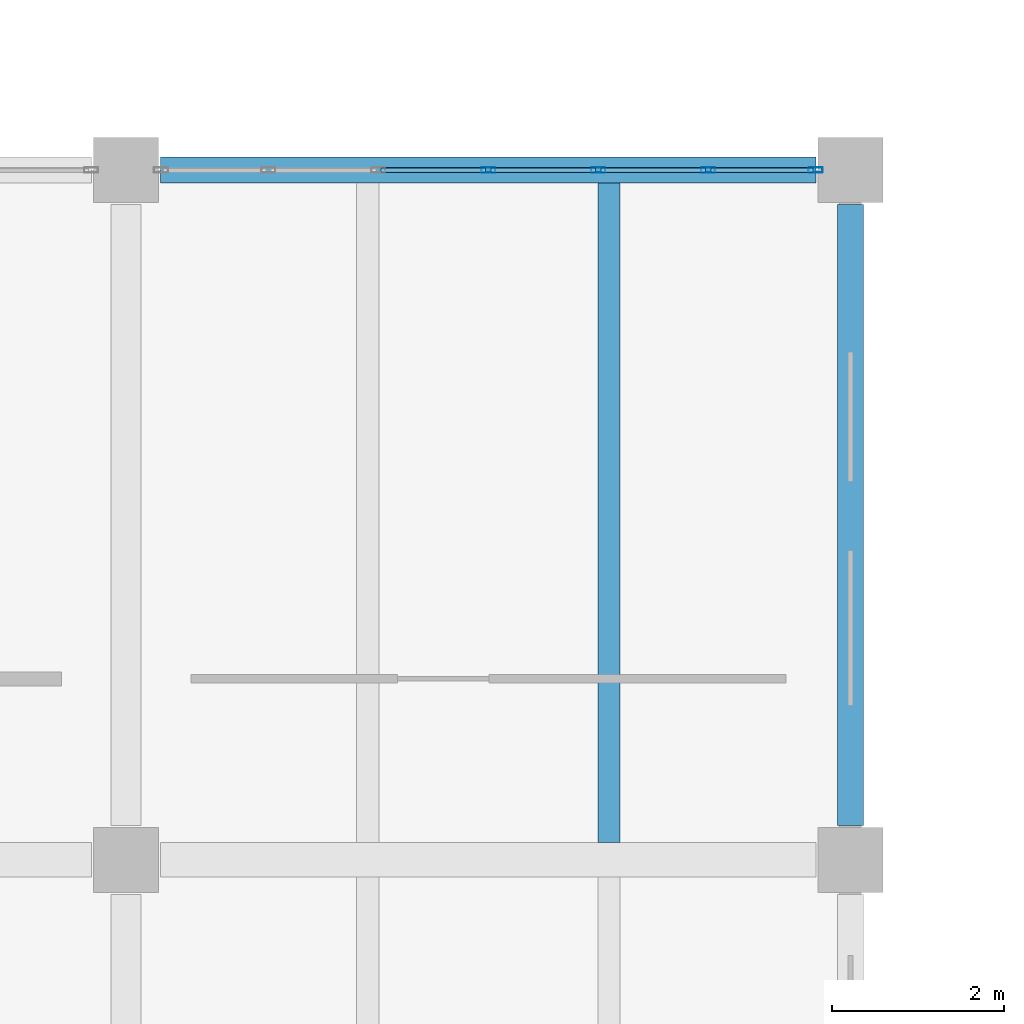
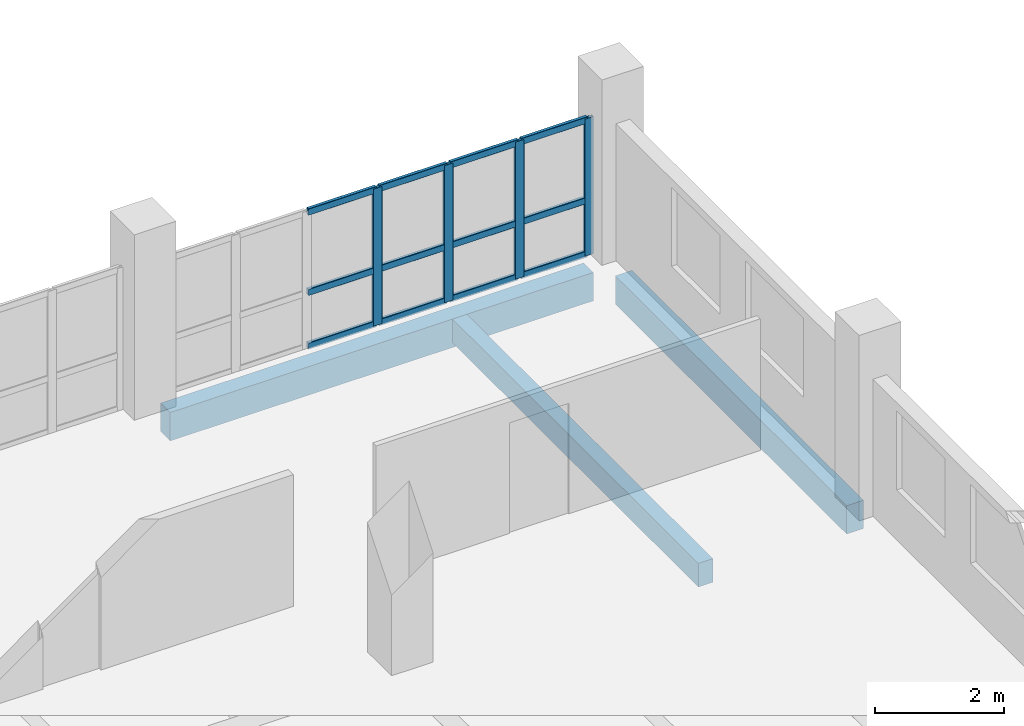
# One storey, part 23 of 95: 16 members, 3 beams, 1 element without a shape of its own.
"""IFC4 building model written with IfcOpenShell, lengths in metres."""

import ifcopenshell
import ifcopenshell.guid

model = None  # the IFC model being written
_history = None  # IfcOwnerHistory: only IFC2X3 demands one
_inside = {}  # id of a spatial element -> (the spatial element, [elements in it])
_under = {}  # id of a project, library or spatial element -> (it, [spatial elements below it])
_declared = {}  # id of a project -> (the project, [libraries it declares])
_typed = {}  # id of a type object -> (the type object, [elements of that type])
_made_of = {}  # id of a material, layer set ... -> (it, [elements and type objects made of it])


def new_model(schema):
    """Start an empty IFC model of exactly this schema.

    Asked for "IFC4X3", IfcOpenShell would pick the latest addendum, in which some entities
    have other attributes; the version numbers below select the first issue.
    IFC2X3 requires an IfcOwnerHistory on every rooted entity: one is made here for all.
    """
    global model, _history
    if schema == "IFC4X3":
        model = ifcopenshell.file(schema_version=(4, 3, 0, 0))
    else:
        model = ifcopenshell.file(schema=schema)
    _inside.clear()
    _under.clear()
    _declared.clear()
    _typed.clear()
    _made_of.clear()
    _history = None
    if model.schema == "IFC2X3":
        org = make("IfcOrganization", Name="unknown")
        user = make(
            "IfcPersonAndOrganization",
            ThePerson=make("IfcPerson", FamilyName="unknown"),
            TheOrganization=org,
        )
        app = make(
            "IfcApplication",
            ApplicationDeveloper=org,
            Version="unknown",
            ApplicationFullName="unknown",
            ApplicationIdentifier="unknown",
        )
        _history = make(
            "IfcOwnerHistory",
            OwningUser=user,
            OwningApplication=app,
            ChangeAction="ADDED",
            CreationDate=0,
        )
    return model


def make(cls, **values):
    """One entity of the class cls with the attributes given. An attribute that is None is left unset."""
    return model.create_entity(
        cls, **{name: value for name, value in values.items() if value is not None}
    )


def rooted(cls, **values):
    """An entity with a GlobalId (a new one), such as an element, a storey or a relation."""
    return make(cls, GlobalId=ifcopenshell.guid.new(), OwnerHistory=_history, **values)


def si_unit(unit_type, name, prefix=None):
    """IfcSIUnit, for example si_unit("LENGTHUNIT", "METRE", prefix="MILLI")."""
    return make("IfcSIUnit", UnitType=unit_type, Prefix=prefix, Name=name)


def assignment(units):
    """IfcUnitAssignment: the units of a project."""
    return None if units is None else make("IfcUnitAssignment", Units=units)


def point(xyz):
    """IfcCartesianPoint."""
    return None if xyz is None else make("IfcCartesianPoint", Coordinates=xyz)


def direction(xyz):
    """IfcDirection."""
    return None if xyz is None else make("IfcDirection", DirectionRatios=xyz)


def frame(location, z_axis=None, x_axis=None):
    """IfcAxis2Placement3D, a coordinate frame: its origin and axes. An axis left out is left unset."""
    return make(
        "IfcAxis2Placement3D",
        Location=point(location),
        Axis=direction(z_axis),
        RefDirection=direction(x_axis),
    )


def frame_2d(location, x_axis=None):
    """IfcAxis2Placement2D, a coordinate frame in the plane: its origin and x axis."""
    return make(
        "IfcAxis2Placement2D", Location=point(location), RefDirection=direction(x_axis)
    )


def origin():
    """The frame at (0, 0, 0) with its axes left unset."""
    return frame((0.0, 0.0, 0.0))


def origin_2d():
    """The frame at (0, 0) in the plane with its x axis left unset."""
    return frame_2d((0.0, 0.0))


def place(relative_to, where):
    """IfcLocalPlacement: puts the frame where relative to a parent placement (None: the world)."""
    return make(
        "IfcLocalPlacement", PlacementRelTo=relative_to, RelativePlacement=where
    )


def context(
    kind, dimensions, precision=None, world=None, true_north=None, identifier=None
):
    """IfcGeometricRepresentationContext, for example the 3D "Model" context."""
    return make(
        "IfcGeometricRepresentationContext",
        ContextIdentifier=identifier,
        ContextType=kind,
        CoordinateSpaceDimension=dimensions,
        Precision=precision,
        WorldCoordinateSystem=world,
        TrueNorth=true_north,
    )


def subcontext(parent, identifier, kind, view, scale=None):
    """IfcGeometricRepresentationSubContext, for example "Body" below "Model"."""
    return make(
        "IfcGeometricRepresentationSubContext",
        ContextIdentifier=identifier,
        ContextType=kind,
        ParentContext=parent,
        TargetScale=scale,
        TargetView=view,
    )


def project(units=None, contexts=None):
    """IfcProject with its units and contexts."""
    return rooted(
        "IfcProject",
        Name="project",
        RepresentationContexts=contexts,
        UnitsInContext=assignment(units),
    )


def spatial(cls, under=None, at=None, **own):
    """A site, building, storey or space (cls), placed at a placement, below another one or the project."""
    s = rooted(cls, ObjectPlacement=at, **own)
    if under is not None:
        _under.setdefault(under.id(), (under, []))[1].append(s)
    return s


def profile(cls, at=None, kind="AREA", **sizes):
    """A parametric profile (cls). Its sizes go by their IFC names, for example OverallWidth=200.0."""
    return make(cls, ProfileType=kind, Position=at, **sizes)


def rectangle(**sizes):
    """IfcRectangleProfileDef."""
    return profile("IfcRectangleProfileDef", **sizes)


def hollow_rectangle(**sizes):
    """IfcRectangleHollowProfileDef."""
    return profile("IfcRectangleHollowProfileDef", **sizes)


def extrude(swept, where, along, depth):
    """IfcExtrudedAreaSolid: the profile swept, set in the frame where, extruded along a direction by depth."""
    return make(
        "IfcExtrudedAreaSolid",
        SweptArea=swept,
        Position=where,
        ExtrudedDirection=direction(along),
        Depth=depth,
    )


def shape(context_of_items, identifier, shape_type, items):
    """IfcShapeRepresentation: the items that make up one representation, for example the "Body"."""
    return make(
        "IfcShapeRepresentation",
        ContextOfItems=context_of_items,
        RepresentationIdentifier=identifier,
        RepresentationType=shape_type,
        Items=items,
    )


def material(Name=None, Category=None):
    """IfcMaterial."""
    return make("IfcMaterial", Name=Name, Category=Category)


def layer(
    of_material, thickness, ventilated=None, Name=None, Category=None, Priority=None
):
    """IfcMaterialLayer: one layer of a wall or slab, of a material (None: an air gap)."""
    return make(
        "IfcMaterialLayer",
        Material=of_material,
        LayerThickness=thickness,
        IsVentilated=ventilated,
        Name=Name,
        Category=Category,
        Priority=Priority,
    )


def layer_set(layers, Name=None):
    """IfcMaterialLayerSet."""
    return make("IfcMaterialLayerSet", MaterialLayers=layers, LayerSetName=Name)


def material_profile(
    of_material, cross_section, Name=None, Category=None, Priority=None
):
    """IfcMaterialProfile: a cross section and its material."""
    return make(
        "IfcMaterialProfile",
        Name=Name,
        Material=of_material,
        Profile=cross_section,
        Priority=Priority,
        Category=Category,
    )


def profile_set(profiles, Name=None, composite=None):
    """IfcMaterialProfileSet."""
    return make(
        "IfcMaterialProfileSet",
        Name=Name,
        MaterialProfiles=profiles,
        CompositeProfile=composite,
    )


def made_of(thing, what):
    """Note that an element or type object is made of a material, layer set ...; save() writes the relation."""
    if what is not None:
        _made_of.setdefault(what.id(), (what, []))[1].append(thing)
    return thing


def type_object(cls, material=None, **own):
    """A type object (cls), such as IfcWallType, which elements share."""
    return made_of(rooted(cls, **own), material)


def element(
    cls,
    number,
    at=None,
    inside=None,
    cuts=None,
    type_object=None,
    material=None,
    context=None,
    identifier="Body",
    shape_type=None,
    held_by="IfcProductDefinitionShape",
    body=None,
    shapes=None,
    **own,
):
    """One element of the class cls, such as IfcWall. Its Tag is "e" and its number.

    at: its placement. inside: the storey or other place that contains it. cuts: it is an
    opening in that element (IfcRelVoidsElement). A single representation is given by context,
    identifier, shape_type and body (its items); several are given by shapes. held_by: the class
    of the entity that holds the representations. save() writes the other relations.
    """
    e = rooted(cls, Tag="e%d" % number, ObjectPlacement=at, **own)
    if body is not None:
        shapes = [shape(context, identifier, shape_type, body)]
    if shapes is not None:
        e.Representation = make(held_by, Representations=shapes)
    if inside is not None:
        _inside.setdefault(inside.id(), (inside, []))[1].append(e)
    if cuts is not None:
        rooted(
            "IfcRelVoidsElement", RelatingBuildingElement=cuts, RelatedOpeningElement=e
        )
    if type_object is not None:
        _typed.setdefault(type_object.id(), (type_object, []))[1].append(e)
    return made_of(e, material)


def aggregate(whole, parts):
    """IfcRelAggregates: a whole, such as a stair, and the parts it consists of."""
    return rooted("IfcRelAggregates", RelatingObject=whole, RelatedObjects=parts)


def save(model, path):
    """Write the relations noted so far, then the file.

    IfcRelAggregates (storeys below a building ...), IfcRelContainedInSpatialStructure (elements
    in a storey), IfcRelDefinesByType, IfcRelAssociatesMaterial and IfcRelDeclares: one each for
    every whole, place, type object, material and project.
    """
    for whole, parts in _under.values():
        aggregate(whole, parts)
    for where, things in _inside.values():
        rooted(
            "IfcRelContainedInSpatialStructure",
            RelatedElements=things,
            RelatingStructure=where,
        )
    for kind, things in _typed.values():
        rooted("IfcRelDefinesByType", RelatedObjects=things, RelatingType=kind)
    for what, things in _made_of.values():
        rooted("IfcRelAssociatesMaterial", RelatedObjects=things, RelatingMaterial=what)
    for by, libraries in _declared.values():
        rooted("IfcRelDeclares", RelatingContext=by, RelatedDefinitions=libraries)
    model.write(path)


model = new_model("IFC4")

# Units and contexts
model_context = context("Model", 3, precision=1e-05, world=origin(), true_north=direction((0.0, 1.0)))
body_context = subcontext(model_context, "Body", "Model", "MODEL_VIEW")
ifc_project = project(units=[si_unit("LENGTHUNIT", "METRE"), si_unit("AREAUNIT", "SQUARE_METRE"), si_unit("VOLUMEUNIT", "CUBIC_METRE"), si_unit("PLANEANGLEUNIT", "RADIAN"), si_unit("MASSUNIT", "GRAM", prefix="KILO"), si_unit("THERMODYNAMICTEMPERATUREUNIT", "KELVIN"), si_unit("POWERUNIT", "WATT")], contexts=[model_context])

# Site, building, storey
site_placement = place(None, origin())
site = spatial("IfcSite", under=ifc_project, at=site_placement, CompositionType="ELEMENT")
building_placement = place(site_placement, origin())
building = spatial("IfcBuilding", under=site, at=building_placement, Name="Mavoryth Pier Ferry Terminal", CompositionType="ELEMENT")
storey_placement = place(building_placement, frame((0.0, 0.0, 9.60009765625)))
storey = spatial("IfcBuildingStorey", under=building, at=storey_placement, Name="L02", CompositionType="ELEMENT", Elevation=9.60009765625)

# Beam
ifc_material_1 = material(Name="Concrete C35/45", Category="concrete")
ifc_material_profile_1 = material_profile(ifc_material_1, rectangle(XDim=0.260009765625, YDim=0.449951171875, at=origin_2d()), Name="RC 260x450", Category="concrete")
ifc_profile_set_1 = profile_set([ifc_material_profile_1], Name="Concrete C35/45 - RC 260x450")
beam_type_1 = type_object("IfcBeamType", Name="Joist-RC-260x450", PredefinedType="JOIST", material=ifc_profile_set_1)
beam_1_placement = place(storey_placement, frame((89.60009765625, 14.199951171875, -0.485107421875), z_axis=(0.0, 1.0, 0.0), x_axis=(-1.0, 0.0, 0.0)))
element("IfcBeam", 1, at=beam_1_placement, inside=storey, type_object=beam_type_1, Name="Beam B02-BJ03-1027", PredefinedType="JOIST", context=body_context, shape_type="SweptSolid", body=[
    extrude(rectangle(XDim=0.260009765625, YDim=0.449951171875, at=origin_2d()), origin(), (0.0, 0.0, 1.0), 7.650146484375),
])

# Curtain wall, members
ifc_material_2 = material(Name="Anodised Aluminium and Solar-Control Low-E Glass", Category="aluminium")
ifc_layer = layer(ifc_material_2, 0.239990234375, Name="Anodised Aluminium and Solar-Control Low-E Glass", Category="aluminium")
ifc_layer_set = layer_set([ifc_layer], Name="Anodised Aluminium and Solar-Control Low-E Glass - CW-Operations-Mod1200")
curtain_wall_type = type_object("IfcCurtainWallType", Name="CW-Operations-Mod1200", PredefinedType="USERDEFINED", material=ifc_layer_set)
curtain_wall_placement = place(storey_placement, origin())
curtain_wall = element("IfcCurtainWall", 2, at=curtain_wall_placement, inside=storey, type_object=curtain_wall_type, Name="Curtain Wall CW-0222-132", ObjectType="UNITISED CURTAIN WALL", PredefinedType="USERDEFINED")
ifc_material_3 = material(Name="Anodised Aluminium EN AW-6063", Category="aluminium")
ifc_material_profile_2 = material_profile(ifc_material_3, hollow_rectangle(XDim=0.06005859375, YDim=0.1650390625, WallThickness=0.00390625, InnerFilletRadius=0.00390625, OuterFilletRadius=0.008056640625, at=origin_2d()), Name="AL-MULL 165x60x4", Category="aluminium")
ifc_profile_set_2 = profile_set([ifc_material_profile_2], Name="Anodised Aluminium EN AW-6063 - AL-MULL 165x60x4")
member_type_1 = type_object("IfcMemberType", Name="Mullion-Alum-165x60", PredefinedType="MULLION", material=ifc_profile_set_2)
member_1_placement = place(storey_placement, frame((91.9951171875, 22.0, 0.0), z_axis=(0.0, 0.0, 1.0), x_axis=(0.0, -1.0, 0.0)))
member_1 = element("IfcMember", 3, at=member_1_placement, type_object=member_type_1, Name="CW06 mullion 1", PredefinedType="MULLION", context=body_context, shape_type="SweptSolid", body=[
    extrude(hollow_rectangle(XDim=0.06005859375, YDim=0.1650390625, WallThickness=0.00390625, InnerFilletRadius=0.00390625, OuterFilletRadius=0.008056640625, at=origin_2d()), origin(), (0.0, 0.0, 1.0), 2.60498046875),
])
member_2_placement = place(storey_placement, frame((90.75, 22.0, 0.0), z_axis=(0.0, 0.0, 1.0), x_axis=(0.0, -1.0, 0.0)))
member_2 = element("IfcMember", 4, at=member_2_placement, type_object=member_type_1, Name="CW06 mullion 2", PredefinedType="MULLION", context=body_context, shape_type="SweptSolid", body=[
    extrude(hollow_rectangle(XDim=0.06005859375, YDim=0.1650390625, WallThickness=0.00390625, InnerFilletRadius=0.00390625, OuterFilletRadius=0.008056640625, at=origin_2d()), origin(), (0.0, 0.0, 1.0), 2.60498046875),
])
member_3_placement = place(storey_placement, frame((89.47509765625, 22.0, 0.0), z_axis=(0.0, 0.0, 1.0), x_axis=(0.0, -1.0, 0.0)))
member_3 = element("IfcMember", 5, at=member_3_placement, type_object=member_type_1, Name="CW06 mullion 3", PredefinedType="MULLION", context=body_context, shape_type="SweptSolid", body=[
    extrude(hollow_rectangle(XDim=0.06005859375, YDim=0.1650390625, WallThickness=0.00390625, InnerFilletRadius=0.00390625, OuterFilletRadius=0.008056640625, at=origin_2d()), origin(), (0.0, 0.0, 1.0), 2.60498046875),
])
member_4_placement = place(storey_placement, frame((88.199951171875, 22.0, 0.0), z_axis=(0.0, 0.0, 1.0), x_axis=(0.0, -1.0, 0.0)))
member_4 = element("IfcMember", 6, at=member_4_placement, type_object=member_type_1, Name="CW06 mullion 4", PredefinedType="MULLION", context=body_context, shape_type="SweptSolid", body=[
    extrude(hollow_rectangle(XDim=0.06005859375, YDim=0.1650390625, WallThickness=0.00390625, InnerFilletRadius=0.00390625, OuterFilletRadius=0.008056640625, at=origin_2d()), origin(), (0.0, 0.0, 1.0), 2.60498046875),
])

# Beams
ifc_material_profile_3 = material_profile(ifc_material_1, rectangle(XDim=0.300048828125, YDim=0.5400390625, at=origin_2d()), Name="RC 300x540", Category="concrete")
ifc_profile_set_3 = profile_set([ifc_material_profile_3], Name="Concrete C35/45 - RC 300x540")
beam_type_2 = type_object("IfcBeamType", Name="Spandrel-RC-300x540", PredefinedType="SPANDREL", material=ifc_profile_set_3)
beam_2_placement = place(storey_placement, frame((84.39990234375, 22.0, -0.530029296875), z_axis=(1.0, 0.0, 0.0), x_axis=(0.0, 1.0, 0.0)))
element("IfcBeam", 7, at=beam_2_placement, inside=storey, type_object=beam_type_2, Name="Beam B02-SP02-0974", PredefinedType="SPANDREL", context=body_context, shape_type="SweptSolid", body=[
    extrude(rectangle(XDim=0.300048828125, YDim=0.5400390625, at=origin_2d()), origin(), (0.0, 0.0, 1.0), 7.60009765625),
])
beam_3_placement = place(storey_placement, frame((92.39990234375, 14.39990234375, -0.530029296875), z_axis=(0.0, 1.0, 0.0), x_axis=(-1.0, 0.0, 0.0)))
element("IfcBeam", 8, at=beam_3_placement, inside=storey, type_object=beam_type_2, Name="Beam B02-SP02-0995", PredefinedType="SPANDREL", context=body_context, shape_type="SweptSolid", body=[
    extrude(rectangle(XDim=0.300048828125, YDim=0.5400390625, at=origin_2d()), origin(), (0.0, 0.0, 1.0), 7.2001953125),
])

# Member
ifc_material_profile_4 = material_profile(ifc_material_3, hollow_rectangle(XDim=0.06005859375, YDim=0.125, WallThickness=0.00390625, InnerFilletRadius=0.00390625, OuterFilletRadius=0.008056640625, at=origin_2d()), Name="AL-TRAN 125x60x4", Category="aluminium")
ifc_profile_set_4 = profile_set([ifc_material_profile_4], Name="Anodised Aluminium EN AW-6063 - AL-TRAN 125x60x4")
member_type_2 = type_object("IfcMemberType", Name="Transom-Alum-125x60", PredefinedType="USERDEFINED", material=ifc_profile_set_4)
member_5_placement = place(storey_placement, frame((91.965087890625, 22.0, 0.02978515625), z_axis=(-1.0, 0.0, 0.0), x_axis=(0.0, -1.0, 0.0)))
member_5 = element("IfcMember", 9, at=member_5_placement, type_object=member_type_2, Name="CW06 transom 1.1", ObjectType="TRANSOM", PredefinedType="USERDEFINED", context=body_context, shape_type="SweptSolid", body=[
    extrude(hollow_rectangle(XDim=0.06005859375, YDim=0.125, WallThickness=0.00390625, InnerFilletRadius=0.00390625, OuterFilletRadius=0.008056640625, at=origin_2d()), origin(), (0.0, 0.0, 1.0), 1.18505859375),
])

member_6_placement = place(storey_placement, frame((91.965087890625, 22.0, 1.0498046875), z_axis=(-1.0, 0.0, 0.0), x_axis=(0.0, -1.0, 0.0)))
member_6 = element("IfcMember", 10, at=member_6_placement, type_object=member_type_2, Name="CW06 transom 1.2", ObjectType="TRANSOM", PredefinedType="USERDEFINED", context=body_context, shape_type="SweptSolid", body=[
    extrude(hollow_rectangle(XDim=0.06005859375, YDim=0.125, WallThickness=0.00390625, InnerFilletRadius=0.00390625, OuterFilletRadius=0.008056640625, at=origin_2d()), origin(), (0.0, 0.0, 1.0), 1.18505859375),
])

member_7_placement = place(storey_placement, frame((91.965087890625, 22.0, 2.574951171875), z_axis=(-1.0, 0.0, 0.0), x_axis=(0.0, -1.0, 0.0)))
member_7 = element("IfcMember", 11, at=member_7_placement, type_object=member_type_2, Name="CW06 transom 1.3", ObjectType="TRANSOM", PredefinedType="USERDEFINED", context=body_context, shape_type="SweptSolid", body=[
    extrude(hollow_rectangle(XDim=0.06005859375, YDim=0.125, WallThickness=0.00390625, InnerFilletRadius=0.00390625, OuterFilletRadius=0.008056640625, at=origin_2d()), origin(), (0.0, 0.0, 1.0), 1.18505859375),
])

member_8_placement = place(storey_placement, frame((90.719970703125, 22.0, 0.02978515625), z_axis=(-1.0, 0.0, 0.0), x_axis=(0.0, -1.0, 0.0)))
member_8 = element("IfcMember", 12, at=member_8_placement, type_object=member_type_2, Name="CW06 transom 2.1", ObjectType="TRANSOM", PredefinedType="USERDEFINED", context=body_context, shape_type="SweptSolid", body=[
    extrude(hollow_rectangle(XDim=0.06005859375, YDim=0.125, WallThickness=0.00390625, InnerFilletRadius=0.00390625, OuterFilletRadius=0.008056640625, at=origin_2d()), origin(), (0.0, 0.0, 1.0), 1.215087890625),
])

member_9_placement = place(storey_placement, frame((90.719970703125, 22.0, 1.0498046875), z_axis=(-1.0, 0.0, 0.0), x_axis=(0.0, -1.0, 0.0)))
member_9 = element("IfcMember", 13, at=member_9_placement, type_object=member_type_2, Name="CW06 transom 2.2", ObjectType="TRANSOM", PredefinedType="USERDEFINED", context=body_context, shape_type="SweptSolid", body=[
    extrude(hollow_rectangle(XDim=0.06005859375, YDim=0.125, WallThickness=0.00390625, InnerFilletRadius=0.00390625, OuterFilletRadius=0.008056640625, at=origin_2d()), origin(), (0.0, 0.0, 1.0), 1.215087890625),
])

member_10_placement = place(storey_placement, frame((90.719970703125, 22.0, 2.574951171875), z_axis=(-1.0, 0.0, 0.0), x_axis=(0.0, -1.0, 0.0)))
member_10 = element("IfcMember", 14, at=member_10_placement, type_object=member_type_2, Name="CW06 transom 2.3", ObjectType="TRANSOM", PredefinedType="USERDEFINED", context=body_context, shape_type="SweptSolid", body=[
    extrude(hollow_rectangle(XDim=0.06005859375, YDim=0.125, WallThickness=0.00390625, InnerFilletRadius=0.00390625, OuterFilletRadius=0.008056640625, at=origin_2d()), origin(), (0.0, 0.0, 1.0), 1.215087890625),
])

member_11_placement = place(storey_placement, frame((89.445068359375, 22.0, 0.02978515625), z_axis=(-1.0, 0.0, 0.0), x_axis=(0.0, -1.0, 0.0)))
member_11 = element("IfcMember", 15, at=member_11_placement, type_object=member_type_2, Name="CW06 transom 3.1", ObjectType="TRANSOM", PredefinedType="USERDEFINED", context=body_context, shape_type="SweptSolid", body=[
    extrude(hollow_rectangle(XDim=0.06005859375, YDim=0.125, WallThickness=0.00390625, InnerFilletRadius=0.00390625, OuterFilletRadius=0.008056640625, at=origin_2d()), origin(), (0.0, 0.0, 1.0), 1.215087890625),
])

member_12_placement = place(storey_placement, frame((89.445068359375, 22.0, 1.0498046875), z_axis=(-1.0, 0.0, 0.0), x_axis=(0.0, -1.0, 0.0)))
member_12 = element("IfcMember", 16, at=member_12_placement, type_object=member_type_2, Name="CW06 transom 3.2", ObjectType="TRANSOM", PredefinedType="USERDEFINED", context=body_context, shape_type="SweptSolid", body=[
    extrude(hollow_rectangle(XDim=0.06005859375, YDim=0.125, WallThickness=0.00390625, InnerFilletRadius=0.00390625, OuterFilletRadius=0.008056640625, at=origin_2d()), origin(), (0.0, 0.0, 1.0), 1.215087890625),
])

member_13_placement = place(storey_placement, frame((89.445068359375, 22.0, 2.574951171875), z_axis=(-1.0, 0.0, 0.0), x_axis=(0.0, -1.0, 0.0)))
member_13 = element("IfcMember", 17, at=member_13_placement, type_object=member_type_2, Name="CW06 transom 3.3", ObjectType="TRANSOM", PredefinedType="USERDEFINED", context=body_context, shape_type="SweptSolid", body=[
    extrude(hollow_rectangle(XDim=0.06005859375, YDim=0.125, WallThickness=0.00390625, InnerFilletRadius=0.00390625, OuterFilletRadius=0.008056640625, at=origin_2d()), origin(), (0.0, 0.0, 1.0), 1.215087890625),
])

member_14_placement = place(storey_placement, frame((88.169921875, 22.0, 0.02978515625), z_axis=(-1.0, 0.0, 0.0), x_axis=(0.0, -1.0, 0.0)))
member_14 = element("IfcMember", 18, at=member_14_placement, type_object=member_type_2, Name="CW06 transom 4.1", ObjectType="TRANSOM", PredefinedType="USERDEFINED", context=body_context, shape_type="SweptSolid", body=[
    extrude(hollow_rectangle(XDim=0.06005859375, YDim=0.125, WallThickness=0.00390625, InnerFilletRadius=0.00390625, OuterFilletRadius=0.008056640625, at=origin_2d()), origin(), (0.0, 0.0, 1.0), 1.21484375),
])

member_15_placement = place(storey_placement, frame((88.169921875, 22.0, 1.0498046875), z_axis=(-1.0, 0.0, 0.0), x_axis=(0.0, -1.0, 0.0)))
member_15 = element("IfcMember", 19, at=member_15_placement, type_object=member_type_2, Name="CW06 transom 4.2", ObjectType="TRANSOM", PredefinedType="USERDEFINED", context=body_context, shape_type="SweptSolid", body=[
    extrude(hollow_rectangle(XDim=0.06005859375, YDim=0.125, WallThickness=0.00390625, InnerFilletRadius=0.00390625, OuterFilletRadius=0.008056640625, at=origin_2d()), origin(), (0.0, 0.0, 1.0), 1.21484375),
])

member_16_placement = place(storey_placement, frame((88.169921875, 22.0, 2.574951171875), z_axis=(-1.0, 0.0, 0.0), x_axis=(0.0, -1.0, 0.0)))
member_16 = element("IfcMember", 20, at=member_16_placement, type_object=member_type_2, Name="CW06 transom 4.3", ObjectType="TRANSOM", PredefinedType="USERDEFINED", context=body_context, shape_type="SweptSolid", body=[
    extrude(hollow_rectangle(XDim=0.06005859375, YDim=0.125, WallThickness=0.00390625, InnerFilletRadius=0.00390625, OuterFilletRadius=0.008056640625, at=origin_2d()), origin(), (0.0, 0.0, 1.0), 1.21484375),
])

aggregate(curtain_wall, [member_1, member_2, member_3, member_4, member_5, member_6, member_7, member_8, member_9, member_10, member_11, member_12, member_13, member_14, member_15, member_16])

save(model, "model.ifc")
